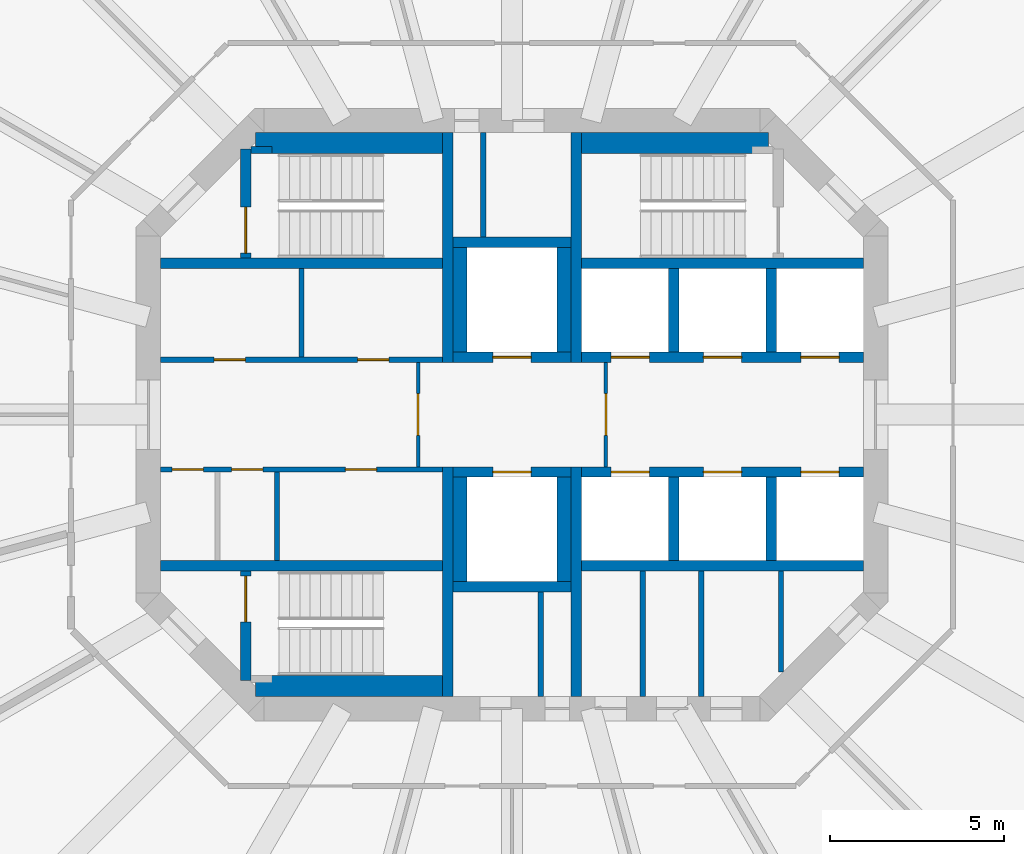
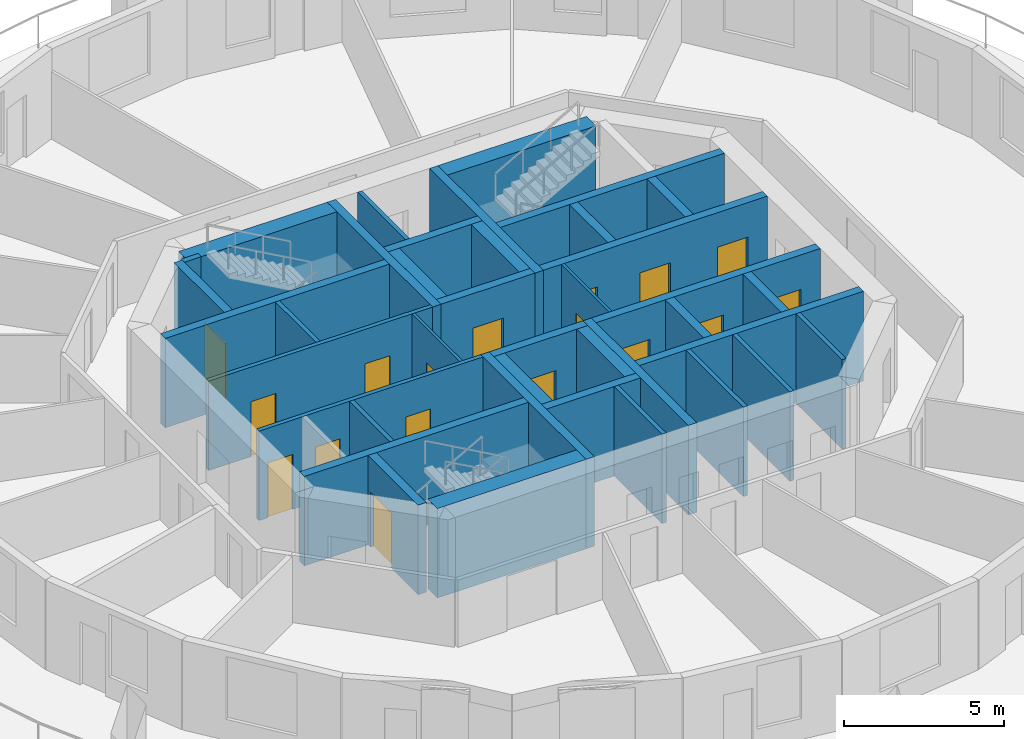
# One storey, part 4 of 9: 39 walls, 17 doors, 17 openings.
"""IFC4 building model written with IfcOpenShell, lengths in metres."""

import ifcopenshell
import ifcopenshell.guid

model = None  # the IFC model being written
_history = None  # IfcOwnerHistory: only IFC2X3 demands one
_inside = {}  # id of a spatial element -> (the spatial element, [elements in it])
_under = {}  # id of a project, library or spatial element -> (it, [spatial elements below it])
_declared = {}  # id of a project -> (the project, [libraries it declares])
_typed = {}  # id of a type object -> (the type object, [elements of that type])
_made_of = {}  # id of a material, layer set ... -> (it, [elements and type objects made of it])


def new_model(schema):
    """Start an empty IFC model of exactly this schema.

    Asked for "IFC4X3", IfcOpenShell would pick the latest addendum, in which some entities
    have other attributes; the version numbers below select the first issue.
    IFC2X3 requires an IfcOwnerHistory on every rooted entity: one is made here for all.
    """
    global model, _history
    if schema == "IFC4X3":
        model = ifcopenshell.file(schema_version=(4, 3, 0, 0))
    else:
        model = ifcopenshell.file(schema=schema)
    _inside.clear()
    _under.clear()
    _declared.clear()
    _typed.clear()
    _made_of.clear()
    _history = None
    if model.schema == "IFC2X3":
        org = make("IfcOrganization", Name="unknown")
        user = make(
            "IfcPersonAndOrganization",
            ThePerson=make("IfcPerson", FamilyName="unknown"),
            TheOrganization=org,
        )
        app = make(
            "IfcApplication",
            ApplicationDeveloper=org,
            Version="unknown",
            ApplicationFullName="unknown",
            ApplicationIdentifier="unknown",
        )
        _history = make(
            "IfcOwnerHistory",
            OwningUser=user,
            OwningApplication=app,
            ChangeAction="ADDED",
            CreationDate=0,
        )
    return model


def make(cls, **values):
    """One entity of the class cls with the attributes given. An attribute that is None is left unset."""
    return model.create_entity(
        cls, **{name: value for name, value in values.items() if value is not None}
    )


def rooted(cls, **values):
    """An entity with a GlobalId (a new one), such as an element, a storey or a relation."""
    return make(cls, GlobalId=ifcopenshell.guid.new(), OwnerHistory=_history, **values)


def si_unit(unit_type, name, prefix=None):
    """IfcSIUnit, for example si_unit("LENGTHUNIT", "METRE", prefix="MILLI")."""
    return make("IfcSIUnit", UnitType=unit_type, Prefix=prefix, Name=name)


def assignment(units):
    """IfcUnitAssignment: the units of a project."""
    return None if units is None else make("IfcUnitAssignment", Units=units)


def point(xyz):
    """IfcCartesianPoint."""
    return None if xyz is None else make("IfcCartesianPoint", Coordinates=xyz)


def direction(xyz):
    """IfcDirection."""
    return None if xyz is None else make("IfcDirection", DirectionRatios=xyz)


def frame(location, z_axis=None, x_axis=None):
    """IfcAxis2Placement3D, a coordinate frame: its origin and axes. An axis left out is left unset."""
    return make(
        "IfcAxis2Placement3D",
        Location=point(location),
        Axis=direction(z_axis),
        RefDirection=direction(x_axis),
    )


def frame_2d(location, x_axis=None):
    """IfcAxis2Placement2D, a coordinate frame in the plane: its origin and x axis."""
    return make(
        "IfcAxis2Placement2D", Location=point(location), RefDirection=direction(x_axis)
    )


def origin():
    """The frame at (0, 0, 0) with its axes left unset."""
    return frame((0.0, 0.0, 0.0))


def place(relative_to, where):
    """IfcLocalPlacement: puts the frame where relative to a parent placement (None: the world)."""
    return make(
        "IfcLocalPlacement", PlacementRelTo=relative_to, RelativePlacement=where
    )


def context(
    kind, dimensions, precision=None, world=None, true_north=None, identifier=None
):
    """IfcGeometricRepresentationContext, for example the 3D "Model" context."""
    return make(
        "IfcGeometricRepresentationContext",
        ContextIdentifier=identifier,
        ContextType=kind,
        CoordinateSpaceDimension=dimensions,
        Precision=precision,
        WorldCoordinateSystem=world,
        TrueNorth=true_north,
    )


def subcontext(parent, identifier, kind, view, scale=None):
    """IfcGeometricRepresentationSubContext, for example "Body" below "Model"."""
    return make(
        "IfcGeometricRepresentationSubContext",
        ContextIdentifier=identifier,
        ContextType=kind,
        ParentContext=parent,
        TargetScale=scale,
        TargetView=view,
    )


def project(units=None, contexts=None):
    """IfcProject with its units and contexts."""
    return rooted(
        "IfcProject",
        Name="project",
        RepresentationContexts=contexts,
        UnitsInContext=assignment(units),
    )


def spatial(cls, under=None, at=None, **own):
    """A site, building, storey or space (cls), placed at a placement, below another one or the project."""
    s = rooted(cls, ObjectPlacement=at, **own)
    if under is not None:
        _under.setdefault(under.id(), (under, []))[1].append(s)
    return s


def profile(cls, at=None, kind="AREA", **sizes):
    """A parametric profile (cls). Its sizes go by their IFC names, for example OverallWidth=200.0."""
    return make(cls, ProfileType=kind, Position=at, **sizes)


def rectangle(**sizes):
    """IfcRectangleProfileDef."""
    return profile("IfcRectangleProfileDef", **sizes)


def extrude(swept, where, along, depth):
    """IfcExtrudedAreaSolid: the profile swept, set in the frame where, extruded along a direction by depth."""
    return make(
        "IfcExtrudedAreaSolid",
        SweptArea=swept,
        Position=where,
        ExtrudedDirection=direction(along),
        Depth=depth,
    )


def shape(context_of_items, identifier, shape_type, items):
    """IfcShapeRepresentation: the items that make up one representation, for example the "Body"."""
    return make(
        "IfcShapeRepresentation",
        ContextOfItems=context_of_items,
        RepresentationIdentifier=identifier,
        RepresentationType=shape_type,
        Items=items,
    )


def material(Name=None, Category=None):
    """IfcMaterial."""
    return make("IfcMaterial", Name=Name, Category=Category)


def layer(
    of_material, thickness, ventilated=None, Name=None, Category=None, Priority=None
):
    """IfcMaterialLayer: one layer of a wall or slab, of a material (None: an air gap)."""
    return make(
        "IfcMaterialLayer",
        Material=of_material,
        LayerThickness=thickness,
        IsVentilated=ventilated,
        Name=Name,
        Category=Category,
        Priority=Priority,
    )


def layer_set(layers, Name=None):
    """IfcMaterialLayerSet."""
    return make("IfcMaterialLayerSet", MaterialLayers=layers, LayerSetName=Name)


def made_of(thing, what):
    """Note that an element or type object is made of a material, layer set ...; save() writes the relation."""
    if what is not None:
        _made_of.setdefault(what.id(), (what, []))[1].append(thing)
    return thing


def type_object(cls, material=None, **own):
    """A type object (cls), such as IfcWallType, which elements share."""
    return made_of(rooted(cls, **own), material)


def element(
    cls,
    number,
    at=None,
    inside=None,
    cuts=None,
    type_object=None,
    material=None,
    context=None,
    identifier="Body",
    shape_type=None,
    held_by="IfcProductDefinitionShape",
    body=None,
    shapes=None,
    **own,
):
    """One element of the class cls, such as IfcWall. Its Tag is "e" and its number.

    at: its placement. inside: the storey or other place that contains it. cuts: it is an
    opening in that element (IfcRelVoidsElement). A single representation is given by context,
    identifier, shape_type and body (its items); several are given by shapes. held_by: the class
    of the entity that holds the representations. save() writes the other relations.
    """
    e = rooted(cls, Tag="e%d" % number, ObjectPlacement=at, **own)
    if body is not None:
        shapes = [shape(context, identifier, shape_type, body)]
    if shapes is not None:
        e.Representation = make(held_by, Representations=shapes)
    if inside is not None:
        _inside.setdefault(inside.id(), (inside, []))[1].append(e)
    if cuts is not None:
        rooted(
            "IfcRelVoidsElement", RelatingBuildingElement=cuts, RelatedOpeningElement=e
        )
    if type_object is not None:
        _typed.setdefault(type_object.id(), (type_object, []))[1].append(e)
    return made_of(e, material)


def fill(opening, filler):
    """IfcRelFillsElement: the door or window that sits in an opening."""
    return rooted(
        "IfcRelFillsElement",
        RelatingOpeningElement=opening,
        RelatedBuildingElement=filler,
    )


def aggregate(whole, parts):
    """IfcRelAggregates: a whole, such as a stair, and the parts it consists of."""
    return rooted("IfcRelAggregates", RelatingObject=whole, RelatedObjects=parts)


def save(model, path):
    """Write the relations noted so far, then the file.

    IfcRelAggregates (storeys below a building ...), IfcRelContainedInSpatialStructure (elements
    in a storey), IfcRelDefinesByType, IfcRelAssociatesMaterial and IfcRelDeclares: one each for
    every whole, place, type object, material and project.
    """
    for whole, parts in _under.values():
        aggregate(whole, parts)
    for where, things in _inside.values():
        rooted(
            "IfcRelContainedInSpatialStructure",
            RelatedElements=things,
            RelatingStructure=where,
        )
    for kind, things in _typed.values():
        rooted("IfcRelDefinesByType", RelatedObjects=things, RelatingType=kind)
    for what, things in _made_of.values():
        rooted("IfcRelAssociatesMaterial", RelatedObjects=things, RelatingMaterial=what)
    for by, libraries in _declared.values():
        rooted("IfcRelDeclares", RelatingContext=by, RelatedDefinitions=libraries)
    model.write(path)


model = new_model("IFC4")

# Units and contexts
model_context = context("Model", 3, precision=1e-05, world=origin(), true_north=direction((0.0, 1.0)))
body_context = subcontext(model_context, "Body", "Model", "MODEL_VIEW")
ifc_project = project(units=[si_unit("LENGTHUNIT", "METRE"), si_unit("AREAUNIT", "SQUARE_METRE"), si_unit("VOLUMEUNIT", "CUBIC_METRE"), si_unit("PLANEANGLEUNIT", "RADIAN"), si_unit("MASSUNIT", "GRAM", prefix="KILO")], contexts=[model_context])

# Site, building, storey
site_placement = place(None, origin())
site = spatial("IfcSite", under=ifc_project, at=site_placement, CompositionType="ELEMENT")
building_placement = place(site_placement, origin())
building = spatial("IfcBuilding", under=site, at=building_placement, Name="Torre Triforio", CompositionType="ELEMENT")
storey_placement = place(building_placement, frame((0.0, 0.0, 237.199951171875)))
storey = spatial("IfcBuildingStorey", under=building, at=storey_placement, Name="L54", CompositionType="ELEMENT", Elevation=237.199951171875)

# Walls
ifc_material_1 = material(Name="Concrete C50", Category="concrete")
ifc_layer_1 = layer(ifc_material_1, 0.300048828125)
ifc_layer_set_1 = layer_set([ifc_layer_1], Name="Concrete C50")
wall_type_1 = type_object("IfcWallType", Name="Core wall 300 mm C50 EI 120", PredefinedType="SHEAR", material=ifc_layer_set_1)
for number, where, z_axis, x_axis, name in (
    (1, (-1.85009765625, 1.5, 0.0), (0.0, 0.0, 1.0), (0.0, 1.0, 0.0), "Core wall"),
    (2, (-1.85009765625, -8.10009765625, 0.0), (0.0, 0.0, 1.0), (0.0, 1.0, 0.0), "Core wall"),
    (3, (1.85009765625, 1.5, 0.0), (0.0, 0.0, 1.0), (0.0, 1.0, 0.0), "Core wall"),
    (4, (1.85009765625, -8.10009765625, 0.0), (0.0, 0.0, 1.0), (0.0, 1.0, 0.0), "Core wall"),
):
    element("IfcWall", number, at=place(storey_placement, frame(where, z_axis=z_axis, x_axis=x_axis)), inside=storey, type_object=wall_type_1, Name=name, PredefinedType="SHEAR", context=body_context, shape_type="SweptSolid", body=[
        extrude(rectangle(XDim=6.60009765625, YDim=0.300048828125, at=frame_2d((3.300048828125, 0.0))), origin(), (0.0, 0.0, 1.0), 3.420166015625),
    ])

# Wall, opening, door
ifc_material_2 = material(Name="Block and board partition")
ifc_layer_2 = layer(ifc_material_2, 0.10009765625)
ifc_layer_set_2 = layer_set([ifc_layer_2], Name="Block and board partition")
wall_type_2 = type_object("IfcWallType", Name="Partition 100 mm EI 120", PredefinedType="PARTITIONING", material=ifc_layer_set_2)
wall_1_placement = place(storey_placement, frame((-2.699951171875, -1.5, 0.0), z_axis=(0.0, 0.0, 1.0), x_axis=(0.0, 1.0, 0.0)))
wall_1 = element("IfcWall", 5, at=wall_1_placement, inside=storey, type_object=wall_type_2, Name="Partition", PredefinedType="PARTITIONING", context=body_context, shape_type="SweptSolid", body=[
    extrude(rectangle(XDim=3.0, YDim=0.10009765625, at=frame_2d((1.5, 0.0))), origin(), (0.0, 0.0, 1.0), 3.420166015625),
])
opening_1_placement = place(wall_1_placement, frame((0.89990234375, 0.0, 0.0)))
opening_1 = element("IfcOpeningElement", 6, at=opening_1_placement, cuts=wall_1, Name="Opening FF-W", PredefinedType="OPENING", context=body_context, shape_type="SweptSolid", body=[
    extrude(rectangle(XDim=1.199951171875, YDim=2.10009765625, at=frame_2d((0.60009765625, 1.050048828125))), frame((0.0, 0.06005859375, 0.0), z_axis=(0.0, -1.0, 0.0), x_axis=(1.0, 0.0, 0.0)), (0.0, 0.0, 1.0), 0.1201171875),
])
ifc_material_3 = material(Name="Hollow metal fire door leaf")
door_type_1 = type_object("IfcDoorType", Name="Fire-fighting lobby door 1200 x 2100 EI 60", OperationType="NOTDEFINED", PredefinedType="DOOR", material=ifc_material_3)
door_1_placement = place(opening_1_placement, origin())
door_1 = element("IfcDoor", 7, at=door_1_placement, inside=storey, type_object=door_type_1, Name="Core door FF-W", OperationType="SINGLE_SWING_RIGHT", OverallHeight=2.10009765625, OverallWidth=1.199951171875, PredefinedType="DOOR", context=body_context, shape_type="SweptSolid", body=[
    extrude(rectangle(XDim=1.199951171875, YDim=2.10009765625, at=frame_2d((0.60009765625, 1.050048828125))), frame((0.0, 0.02490234375, 0.0), z_axis=(0.0, -1.0, 0.0), x_axis=(1.0, 0.0, 0.0)), (0.0, 0.0, 1.0), 0.050048828125),
])
fill(opening_1, door_1)

wall_2_placement = place(storey_placement, frame((2.699951171875, -1.5, 0.0), z_axis=(0.0, 0.0, 1.0), x_axis=(0.0, 1.0, 0.0)))
wall_2 = element("IfcWall", 8, at=wall_2_placement, inside=storey, type_object=wall_type_2, Name="Partition", PredefinedType="PARTITIONING", context=body_context, shape_type="SweptSolid", body=[
    extrude(rectangle(XDim=3.0, YDim=0.10009765625, at=frame_2d((1.5, 0.0))), origin(), (0.0, 0.0, 1.0), 3.420166015625),
])
opening_2_placement = place(wall_2_placement, frame((0.89990234375, 0.0, 0.0)))
opening_2 = element("IfcOpeningElement", 9, at=opening_2_placement, cuts=wall_2, Name="Opening FF-E", PredefinedType="OPENING", context=body_context, shape_type="SweptSolid", body=[
    extrude(rectangle(XDim=1.199951171875, YDim=2.10009765625, at=frame_2d((0.60009765625, 1.050048828125))), frame((0.0, 0.06005859375, 0.0), z_axis=(0.0, -1.0, 0.0), x_axis=(1.0, 0.0, 0.0)), (0.0, 0.0, 1.0), 0.1201171875),
])
door_2_placement = place(opening_2_placement, origin())
door_2 = element("IfcDoor", 10, at=door_2_placement, inside=storey, type_object=door_type_1, Name="Core door FF-E", OperationType="SINGLE_SWING_RIGHT", OverallHeight=2.10009765625, OverallWidth=1.199951171875, PredefinedType="DOOR", context=body_context, shape_type="SweptSolid", body=[
    extrude(rectangle(XDim=1.199951171875, YDim=2.10009765625, at=frame_2d((0.60009765625, 1.050048828125))), frame((0.0, 0.02490234375, 0.0), z_axis=(0.0, -1.0, 0.0), x_axis=(1.0, 0.0, 0.0)), (0.0, 0.0, 1.0), 0.050048828125),
])
fill(opening_2, door_2)

# Walls
ifc_layer_3 = layer(ifc_material_2, 0.14990234375)
ifc_layer_set_3 = layer_set([ifc_layer_3], Name="Block and board partition")
wall_type_3 = type_object("IfcWallType", Name="Partition 150 mm", PredefinedType="PARTITIONING", material=ifc_layer_set_3)
for number, where, z_axis, x_axis, name in (
    (11, (3.758056640625, -8.10009765625, 0.0), (0.0, 0.0, 1.0), (0.0, 1.0, 0.0), "Partition"),
    (12, (5.43798828125, -8.10009765625, 0.0), (0.0, 0.0, 1.0), (0.0, 1.0, 0.0), "Partition"),
):
    element("IfcWall", number, at=place(storey_placement, frame(where, z_axis=z_axis, x_axis=x_axis)), inside=storey, type_object=wall_type_3, Name=name, PredefinedType="PARTITIONING", context=body_context, shape_type="SweptSolid", body=[
        extrude(rectangle(XDim=3.60009765625, YDim=0.14990234375, at=frame_2d((1.800048828125, 0.0))), origin(), (0.0, 0.0, 1.0), 3.420166015625),
    ])
wall_3_placement = place(storey_placement, frame((7.72998046875, -7.39501953125, 0.0), z_axis=(0.0, 0.0, 1.0), x_axis=(0.0, 1.0, 0.0)))
element("IfcWall", 13, at=wall_3_placement, inside=storey, type_object=wall_type_3, Name="Partition", PredefinedType="PARTITIONING", context=body_context, shape_type="SweptSolid", body=[
    extrude(rectangle(XDim=2.89501953125, YDim=0.14990234375, at=frame_2d((1.447509765625, 0.0))), origin(), (0.0, 0.0, 1.0), 3.420166015625),
])
for number, where, z_axis, x_axis, name in (
    (14, (-6.050048828125, 1.64990234375, 0.0), (0.0, 0.0, 1.0), (0.0, 1.0, 0.0), "Partition"),
    (15, (-6.7548828125, -4.199951171875, 0.0), (0.0, 0.0, 1.0), (0.0, 1.0, 0.0), "Partition"),
):
    element("IfcWall", number, at=place(storey_placement, frame(where, z_axis=z_axis, x_axis=x_axis)), inside=storey, type_object=wall_type_3, Name=name, PredefinedType="PARTITIONING", context=body_context, shape_type="SweptSolid", body=[
        extrude(rectangle(XDim=2.550048828125, YDim=0.14990234375, at=frame_2d((1.27490234375, 0.0))), origin(), (0.0, 0.0, 1.0), 3.420166015625),
    ])
ifc_layer_4 = layer(ifc_material_2, 0.14990234375)
ifc_layer_set_4 = layer_set([ifc_layer_4], Name="Block and board partition")
wall_type_4 = type_object("IfcWallType", Name="Partition 150 mm EI 120", PredefinedType="PARTITIONING", material=ifc_layer_set_4)
for number, where, z_axis, x_axis, name in (
    (16, (-0.824951171875, 5.10009765625, 0.0), (0.0, 0.0, 1.0), (0.0, 1.0, 0.0), "Partition"),
    (17, (0.824951171875, -8.10009765625, 0.0), (0.0, 0.0, 1.0), (0.0, 1.0, 0.0), "Partition"),
):
    element("IfcWall", number, at=place(storey_placement, frame(where, z_axis=z_axis, x_axis=x_axis)), inside=storey, type_object=wall_type_4, Name=name, PredefinedType="PARTITIONING", context=body_context, shape_type="SweptSolid", body=[
        extrude(rectangle(XDim=3.0, YDim=0.14990234375, at=frame_2d((1.5, 0.0))), origin(), (0.0, 0.0, 1.0), 3.420166015625),
    ])

# Wall, openings, doors
wall_4_placement = place(storey_placement, frame((-10.10009765625, 1.574951171875, 0.0), z_axis=(0.0, 0.0, 1.0), x_axis=(1.0, 0.0, 0.0)))
wall_4 = element("IfcWall", 18, at=wall_4_placement, inside=storey, type_object=wall_type_4, Name="Partition", PredefinedType="PARTITIONING", context=body_context, shape_type="SweptSolid", body=[
    extrude(rectangle(XDim=8.10009765625, YDim=0.14990234375, at=frame_2d((4.050048828125, 0.0))), origin(), (0.0, 0.0, 1.0), 3.420166015625),
])
opening_3_placement = place(wall_4_placement, frame((1.53759765625, 0.0, 0.0)))
opening_3 = element("IfcOpeningElement", 19, at=opening_3_placement, cuts=wall_4, Name="Opening FN-01", PredefinedType="OPENING", context=body_context, shape_type="SweptSolid", body=[
    extrude(rectangle(XDim=0.89990234375, YDim=2.10009765625, at=frame_2d((0.449951171875, 1.050048828125))), frame((0.0, 0.0849609375, 0.0), z_axis=(0.0, -1.0, 0.0), x_axis=(1.0, 0.0, 0.0)), (0.0, 0.0, 1.0), 0.169921875),
])
opening_4_placement = place(wall_4_placement, frame((5.66259765625, 0.0, 0.0)))
opening_4 = element("IfcOpeningElement", 20, at=opening_4_placement, cuts=wall_4, Name="Opening FN-02", PredefinedType="OPENING", context=body_context, shape_type="SweptSolid", body=[
    extrude(rectangle(XDim=0.89990234375, YDim=2.10009765625, at=frame_2d((0.449951171875, 1.050048828125))), frame((0.0, 0.0849609375, 0.0), z_axis=(0.0, -1.0, 0.0), x_axis=(1.0, 0.0, 0.0)), (0.0, 0.0, 1.0), 0.169921875),
])
door_type_2 = type_object("IfcDoorType", Name="Room door 900 x 2100 EI 60", OperationType="NOTDEFINED", PredefinedType="DOOR", material=ifc_material_3)
door_3_placement = place(opening_3_placement, origin())
door_3 = element("IfcDoor", 21, at=door_3_placement, inside=storey, type_object=door_type_2, Name="Core door FN-01", OperationType="SINGLE_SWING_RIGHT", OverallHeight=2.10009765625, OverallWidth=0.89990234375, PredefinedType="DOOR", context=body_context, shape_type="SweptSolid", body=[
    extrude(rectangle(XDim=0.89990234375, YDim=2.10009765625, at=frame_2d((0.449951171875, 1.050048828125))), frame((0.0, 0.02490234375, 0.0), z_axis=(0.0, -1.0, 0.0), x_axis=(1.0, 0.0, 0.0)), (0.0, 0.0, 1.0), 0.050048828125),
])
fill(opening_3, door_3)
door_4_placement = place(opening_4_placement, origin())
door_4 = element("IfcDoor", 22, at=door_4_placement, inside=storey, type_object=door_type_2, Name="Core door FN-02", OperationType="SINGLE_SWING_RIGHT", OverallHeight=2.10009765625, OverallWidth=0.89990234375, PredefinedType="DOOR", context=body_context, shape_type="SweptSolid", body=[
    extrude(rectangle(XDim=0.89990234375, YDim=2.10009765625, at=frame_2d((0.449951171875, 1.050048828125))), frame((0.0, 0.02490234375, 0.0), z_axis=(0.0, -1.0, 0.0), x_axis=(1.0, 0.0, 0.0)), (0.0, 0.0, 1.0), 0.050048828125),
])
fill(opening_4, door_4)

wall_5_placement = place(storey_placement, frame((-10.10009765625, -1.574951171875, 0.0), z_axis=(0.0, 0.0, 1.0), x_axis=(1.0, 0.0, 0.0)))
wall_5 = element("IfcWall", 23, at=wall_5_placement, inside=storey, type_object=wall_type_4, Name="Partition", PredefinedType="PARTITIONING", context=body_context, shape_type="SweptSolid", body=[
    extrude(rectangle(XDim=8.10009765625, YDim=0.14990234375, at=frame_2d((4.050048828125, 0.0))), origin(), (0.0, 0.0, 1.0), 3.420166015625),
])
opening_5_placement = place(wall_5_placement, frame((0.330078125, 0.0, 0.0)))
opening_5 = element("IfcOpeningElement", 24, at=opening_5_placement, cuts=wall_5, Name="Opening FS-01", PredefinedType="OPENING", context=body_context, shape_type="SweptSolid", body=[
    extrude(rectangle(XDim=0.89990234375, YDim=2.10009765625, at=frame_2d((0.449951171875, 1.050048828125))), frame((0.0, 0.0849609375, 0.0), z_axis=(0.0, -1.0, 0.0), x_axis=(1.0, 0.0, 0.0)), (0.0, 0.0, 1.0), 0.169921875),
])
opening_6_placement = place(wall_5_placement, frame((2.0400390625, 0.0, 0.0)))
opening_6 = element("IfcOpeningElement", 25, at=opening_6_placement, cuts=wall_5, Name="Opening FS-02", PredefinedType="OPENING", context=body_context, shape_type="SweptSolid", body=[
    extrude(rectangle(XDim=0.89990234375, YDim=2.10009765625, at=frame_2d((0.449951171875, 1.050048828125))), frame((0.0, 0.0849609375, 0.0), z_axis=(0.0, -1.0, 0.0), x_axis=(1.0, 0.0, 0.0)), (0.0, 0.0, 1.0), 0.169921875),
])
opening_7_placement = place(wall_5_placement, frame((5.31005859375, 0.0, 0.0)))
opening_7 = element("IfcOpeningElement", 26, at=opening_7_placement, cuts=wall_5, Name="Opening FS-03", PredefinedType="OPENING", context=body_context, shape_type="SweptSolid", body=[
    extrude(rectangle(XDim=0.89990234375, YDim=2.10009765625, at=frame_2d((0.449951171875, 1.050048828125))), frame((0.0, 0.0849609375, 0.0), z_axis=(0.0, -1.0, 0.0), x_axis=(1.0, 0.0, 0.0)), (0.0, 0.0, 1.0), 0.169921875),
])
door_5_placement = place(opening_5_placement, origin())
door_5 = element("IfcDoor", 27, at=door_5_placement, inside=storey, type_object=door_type_2, Name="Core door FS-01", OperationType="SINGLE_SWING_LEFT", OverallHeight=2.10009765625, OverallWidth=0.89990234375, PredefinedType="DOOR", context=body_context, shape_type="SweptSolid", body=[
    extrude(rectangle(XDim=0.89990234375, YDim=2.10009765625, at=frame_2d((0.449951171875, 1.050048828125))), frame((0.0, 0.02490234375, 0.0), z_axis=(0.0, -1.0, 0.0), x_axis=(1.0, 0.0, 0.0)), (0.0, 0.0, 1.0), 0.050048828125),
])
fill(opening_5, door_5)
door_6_placement = place(opening_6_placement, origin())
door_6 = element("IfcDoor", 28, at=door_6_placement, inside=storey, type_object=door_type_2, Name="Core door FS-02", OperationType="SINGLE_SWING_LEFT", OverallHeight=2.10009765625, OverallWidth=0.89990234375, PredefinedType="DOOR", context=body_context, shape_type="SweptSolid", body=[
    extrude(rectangle(XDim=0.89990234375, YDim=2.10009765625, at=frame_2d((0.449951171875, 1.050048828125))), frame((0.0, 0.02490234375, 0.0), z_axis=(0.0, -1.0, 0.0), x_axis=(1.0, 0.0, 0.0)), (0.0, 0.0, 1.0), 0.050048828125),
])
fill(opening_6, door_6)
door_7_placement = place(opening_7_placement, origin())
door_7 = element("IfcDoor", 29, at=door_7_placement, inside=storey, type_object=door_type_2, Name="Core door FS-03", OperationType="SINGLE_SWING_LEFT", OverallHeight=2.10009765625, OverallWidth=0.89990234375, PredefinedType="DOOR", context=body_context, shape_type="SweptSolid", body=[
    extrude(rectangle(XDim=0.89990234375, YDim=2.10009765625, at=frame_2d((0.449951171875, 1.050048828125))), frame((0.0, 0.02490234375, 0.0), z_axis=(0.0, -1.0, 0.0), x_axis=(1.0, 0.0, 0.0)), (0.0, 0.0, 1.0), 0.050048828125),
])
fill(opening_7, door_7)

# Walls
ifc_layer_5 = layer(ifc_material_1, 0.300048828125)
ifc_layer_set_5 = layer_set([ifc_layer_5], Name="Concrete C50")
wall_type_5 = type_object("IfcWallType", Name="Shaft wall 300 mm C50 EI 120", PredefinedType="SOLIDWALL", material=ifc_layer_set_5)
for number, where, z_axis, x_axis, name in (
    (30, (-10.10009765625, 4.35009765625, 0.0), (0.0, 0.0, 1.0), (1.0, 0.0, 0.0), "Shaft wall"),
    (31, (-10.10009765625, -4.35009765625, 0.0), (0.0, 0.0, 1.0), (1.0, 0.0, 0.0), "Shaft wall"),
    (32, (2.0, 4.35009765625, 0.0), (0.0, 0.0, 1.0), (1.0, 0.0, 0.0), "Shaft wall"),
    (33, (2.0, -4.35009765625, 0.0), (0.0, 0.0, 1.0), (1.0, 0.0, 0.0), "Shaft wall"),
):
    element("IfcWall", number, at=place(storey_placement, frame(where, z_axis=z_axis, x_axis=x_axis)), inside=storey, type_object=wall_type_5, Name=name, PredefinedType="SOLIDWALL", context=body_context, shape_type="SweptSolid", body=[
        extrude(rectangle(XDim=8.10009765625, YDim=0.300048828125, at=frame_2d((4.050048828125, 0.0))), origin(), (0.0, 0.0, 1.0), 3.420166015625),
    ])

# Wall, openings, doors
wall_6_placement = place(storey_placement, frame((2.0, 1.64990234375, 0.0), z_axis=(0.0, 0.0, 1.0), x_axis=(1.0, 0.0, 0.0)))
wall_6 = element("IfcWall", 34, at=wall_6_placement, inside=storey, type_object=wall_type_5, Name="Shaft wall", PredefinedType="SOLIDWALL", context=body_context, shape_type="SweptSolid", body=[
    extrude(rectangle(XDim=8.10009765625, YDim=0.300048828125, at=frame_2d((4.050048828125, 0.0))), origin(), (0.0, 0.0, 1.0), 3.420166015625),
])
opening_8_placement = place(wall_6_placement, frame((0.85009765625, 0.0, 0.0)))
opening_8 = element("IfcOpeningElement", 35, at=opening_8_placement, cuts=wall_6, Name="Opening LD", PredefinedType="OPENING", context=body_context, shape_type="SweptSolid", body=[
    extrude(rectangle(XDim=1.10009765625, YDim=2.10009765625, at=frame_2d((0.550048828125, 1.050048828125))), frame((0.0, 0.159912109375, 0.0), z_axis=(0.0, -1.0, 0.0), x_axis=(1.0, 0.0, 0.0)), (0.0, 0.0, 1.0), 0.320068359375),
])
opening_9_placement = place(wall_6_placement, frame((3.5, 0.0, 0.0)))
opening_9 = element("IfcOpeningElement", 36, at=opening_9_placement, cuts=wall_6, Name="Opening LD", PredefinedType="OPENING", context=body_context, shape_type="SweptSolid", body=[
    extrude(rectangle(XDim=1.10009765625, YDim=2.10009765625, at=frame_2d((0.550048828125, 1.050048828125))), frame((0.0, 0.159912109375, 0.0), z_axis=(0.0, -1.0, 0.0), x_axis=(1.0, 0.0, 0.0)), (0.0, 0.0, 1.0), 0.320068359375),
])
opening_10_placement = place(wall_6_placement, frame((6.300048828125, 0.0, 0.0)))
opening_10 = element("IfcOpeningElement", 37, at=opening_10_placement, cuts=wall_6, Name="Opening LD", PredefinedType="OPENING", context=body_context, shape_type="SweptSolid", body=[
    extrude(rectangle(XDim=1.10009765625, YDim=2.10009765625, at=frame_2d((0.550048828125, 1.050048828125))), frame((0.0, 0.159912109375, 0.0), z_axis=(0.0, -1.0, 0.0), x_axis=(1.0, 0.0, 0.0)), (0.0, 0.0, 1.0), 0.320068359375),
])
door_type_3 = type_object("IfcDoorType", Name="Landing door 1100 x 2100 EI 60", OperationType="DOUBLE_DOOR_SLIDING", PredefinedType="DOOR", material=ifc_material_3)
door_8_placement = place(opening_8_placement, origin())
door_8 = element("IfcDoor", 38, at=door_8_placement, inside=storey, type_object=door_type_3, Name="Landing door HR1", OperationType="DOUBLE_DOOR_SLIDING", OverallHeight=2.10009765625, OverallWidth=1.10009765625, PredefinedType="DOOR", context=body_context, shape_type="SweptSolid", body=[
    extrude(rectangle(XDim=1.10009765625, YDim=2.10009765625, at=frame_2d((0.550048828125, 1.050048828125))), frame((0.0, 0.02490234375, 0.0), z_axis=(0.0, -1.0, 0.0), x_axis=(1.0, 0.0, 0.0)), (0.0, 0.0, 1.0), 0.050048828125),
])
fill(opening_8, door_8)
door_9_placement = place(opening_9_placement, origin())
door_9 = element("IfcDoor", 39, at=door_9_placement, inside=storey, type_object=door_type_3, Name="Landing door HR2", OperationType="DOUBLE_DOOR_SLIDING", OverallHeight=2.10009765625, OverallWidth=1.10009765625, PredefinedType="DOOR", context=body_context, shape_type="SweptSolid", body=[
    extrude(rectangle(XDim=1.10009765625, YDim=2.10009765625, at=frame_2d((0.550048828125, 1.050048828125))), frame((0.0, 0.02490234375, 0.0), z_axis=(0.0, -1.0, 0.0), x_axis=(1.0, 0.0, 0.0)), (0.0, 0.0, 1.0), 0.050048828125),
])
fill(opening_9, door_9)
door_10_placement = place(opening_10_placement, origin())
door_10 = element("IfcDoor", 40, at=door_10_placement, inside=storey, type_object=door_type_3, Name="Landing door HR3", OperationType="DOUBLE_DOOR_SLIDING", OverallHeight=2.10009765625, OverallWidth=1.10009765625, PredefinedType="DOOR", context=body_context, shape_type="SweptSolid", body=[
    extrude(rectangle(XDim=1.10009765625, YDim=2.10009765625, at=frame_2d((0.550048828125, 1.050048828125))), frame((0.0, 0.02490234375, 0.0), z_axis=(0.0, -1.0, 0.0), x_axis=(1.0, 0.0, 0.0)), (0.0, 0.0, 1.0), 0.050048828125),
])
fill(opening_10, door_10)

wall_7_placement = place(storey_placement, frame((2.0, -1.64990234375, 0.0), z_axis=(0.0, 0.0, 1.0), x_axis=(1.0, 0.0, 0.0)))
wall_7 = element("IfcWall", 41, at=wall_7_placement, inside=storey, type_object=wall_type_5, Name="Shaft wall", PredefinedType="SOLIDWALL", context=body_context, shape_type="SweptSolid", body=[
    extrude(rectangle(XDim=8.10009765625, YDim=0.300048828125, at=frame_2d((4.050048828125, 0.0))), origin(), (0.0, 0.0, 1.0), 3.420166015625),
])
opening_11_placement = place(wall_7_placement, frame((0.85009765625, 0.0, 0.0)))
opening_11 = element("IfcOpeningElement", 42, at=opening_11_placement, cuts=wall_7, Name="Opening LD", PredefinedType="OPENING", context=body_context, shape_type="SweptSolid", body=[
    extrude(rectangle(XDim=1.10009765625, YDim=2.10009765625, at=frame_2d((0.550048828125, 1.050048828125))), frame((0.0, 0.159912109375, 0.0), z_axis=(0.0, -1.0, 0.0), x_axis=(1.0, 0.0, 0.0)), (0.0, 0.0, 1.0), 0.320068359375),
])
opening_12_placement = place(wall_7_placement, frame((3.5, 0.0, 0.0)))
opening_12 = element("IfcOpeningElement", 43, at=opening_12_placement, cuts=wall_7, Name="Opening LD", PredefinedType="OPENING", context=body_context, shape_type="SweptSolid", body=[
    extrude(rectangle(XDim=1.10009765625, YDim=2.10009765625, at=frame_2d((0.550048828125, 1.050048828125))), frame((0.0, 0.159912109375, 0.0), z_axis=(0.0, -1.0, 0.0), x_axis=(1.0, 0.0, 0.0)), (0.0, 0.0, 1.0), 0.320068359375),
])
opening_13_placement = place(wall_7_placement, frame((6.300048828125, 0.0, 0.0)))
opening_13 = element("IfcOpeningElement", 44, at=opening_13_placement, cuts=wall_7, Name="Opening LD", PredefinedType="OPENING", context=body_context, shape_type="SweptSolid", body=[
    extrude(rectangle(XDim=1.10009765625, YDim=2.10009765625, at=frame_2d((0.550048828125, 1.050048828125))), frame((0.0, 0.159912109375, 0.0), z_axis=(0.0, -1.0, 0.0), x_axis=(1.0, 0.0, 0.0)), (0.0, 0.0, 1.0), 0.320068359375),
])
door_11_placement = place(opening_11_placement, origin())
door_11 = element("IfcDoor", 45, at=door_11_placement, inside=storey, type_object=door_type_3, Name="Landing door HR4", OperationType="DOUBLE_DOOR_SLIDING", OverallHeight=2.10009765625, OverallWidth=1.10009765625, PredefinedType="DOOR", context=body_context, shape_type="SweptSolid", body=[
    extrude(rectangle(XDim=1.10009765625, YDim=2.10009765625, at=frame_2d((0.550048828125, 1.050048828125))), frame((0.0, 0.02490234375, 0.0), z_axis=(0.0, -1.0, 0.0), x_axis=(1.0, 0.0, 0.0)), (0.0, 0.0, 1.0), 0.050048828125),
])
fill(opening_11, door_11)
door_12_placement = place(opening_12_placement, origin())
door_12 = element("IfcDoor", 46, at=door_12_placement, inside=storey, type_object=door_type_3, Name="Landing door HR5", OperationType="DOUBLE_DOOR_SLIDING", OverallHeight=2.10009765625, OverallWidth=1.10009765625, PredefinedType="DOOR", context=body_context, shape_type="SweptSolid", body=[
    extrude(rectangle(XDim=1.10009765625, YDim=2.10009765625, at=frame_2d((0.550048828125, 1.050048828125))), frame((0.0, 0.02490234375, 0.0), z_axis=(0.0, -1.0, 0.0), x_axis=(1.0, 0.0, 0.0)), (0.0, 0.0, 1.0), 0.050048828125),
])
fill(opening_12, door_12)
door_13_placement = place(opening_13_placement, origin())
door_13 = element("IfcDoor", 47, at=door_13_placement, inside=storey, type_object=door_type_3, Name="Landing door HR6", OperationType="DOUBLE_DOOR_SLIDING", OverallHeight=2.10009765625, OverallWidth=1.10009765625, PredefinedType="DOOR", context=body_context, shape_type="SweptSolid", body=[
    extrude(rectangle(XDim=1.10009765625, YDim=2.10009765625, at=frame_2d((0.550048828125, 1.050048828125))), frame((0.0, 0.02490234375, 0.0), z_axis=(0.0, -1.0, 0.0), x_axis=(1.0, 0.0, 0.0)), (0.0, 0.0, 1.0), 0.050048828125),
])
fill(opening_13, door_13)

# Walls
for number, where, z_axis, x_axis, name in (
    (48, (4.64990234375, 1.800048828125, 0.0), (0.0, 0.0, 1.0), (0.0, 1.0, 0.0), "Shaft wall"),
    (49, (4.64990234375, -4.199951171875, 0.0), (0.0, 0.0, 1.0), (0.0, 1.0, 0.0), "Shaft wall"),
    (50, (7.449951171875, 1.800048828125, 0.0), (0.0, 0.0, 1.0), (0.0, 1.0, 0.0), "Shaft wall"),
    (51, (7.449951171875, -4.199951171875, 0.0), (0.0, 0.0, 1.0), (0.0, 1.0, 0.0), "Shaft wall"),
):
    element("IfcWall", number, at=place(storey_placement, frame(where, z_axis=z_axis, x_axis=x_axis)), inside=storey, type_object=wall_type_5, Name=name, PredefinedType="SOLIDWALL", context=body_context, shape_type="SweptSolid", body=[
        extrude(rectangle(XDim=2.39990234375, YDim=0.300048828125, at=frame_2d((1.199951171875, 0.0))), origin(), (0.0, 0.0, 1.0), 3.420166015625),
    ])

# Wall, opening, door
wall_8_placement = place(storey_placement, frame((-1.699951171875, 1.64990234375, 0.0), z_axis=(0.0, 0.0, 1.0), x_axis=(1.0, 0.0, 0.0)))
wall_8 = element("IfcWall", 52, at=wall_8_placement, inside=storey, type_object=wall_type_5, Name="Shaft wall", PredefinedType="SOLIDWALL", context=body_context, shape_type="SweptSolid", body=[
    extrude(rectangle(XDim=3.39990234375, YDim=0.300048828125, at=frame_2d((1.699951171875, 0.0))), origin(), (0.0, 0.0, 1.0), 3.420166015625),
])
opening_14_placement = place(wall_8_placement, frame((1.14990234375, 0.0, 0.0)))
opening_14 = element("IfcOpeningElement", 53, at=opening_14_placement, cuts=wall_8, Name="Opening LD", PredefinedType="OPENING", context=body_context, shape_type="SweptSolid", body=[
    extrude(rectangle(XDim=1.10009765625, YDim=2.10009765625, at=frame_2d((0.550048828125, 1.050048828125))), frame((0.0, 0.159912109375, 0.0), z_axis=(0.0, -1.0, 0.0), x_axis=(1.0, 0.0, 0.0)), (0.0, 0.0, 1.0), 0.320068359375),
])
door_14_placement = place(opening_14_placement, origin())
door_14 = element("IfcDoor", 54, at=door_14_placement, inside=storey, type_object=door_type_3, Name="Landing door FFL1", OperationType="DOUBLE_DOOR_SLIDING", OverallHeight=2.10009765625, OverallWidth=1.10009765625, PredefinedType="DOOR", context=body_context, shape_type="SweptSolid", body=[
    extrude(rectangle(XDim=1.10009765625, YDim=2.10009765625, at=frame_2d((0.550048828125, 1.050048828125))), frame((0.0, 0.02490234375, 0.0), z_axis=(0.0, -1.0, 0.0), x_axis=(1.0, 0.0, 0.0)), (0.0, 0.0, 1.0), 0.050048828125),
])
fill(opening_14, door_14)

wall_9_placement = place(storey_placement, frame((-1.699951171875, -1.64990234375, 0.0), z_axis=(0.0, 0.0, 1.0), x_axis=(1.0, 0.0, 0.0)))
wall_9 = element("IfcWall", 55, at=wall_9_placement, inside=storey, type_object=wall_type_5, Name="Shaft wall", PredefinedType="SOLIDWALL", context=body_context, shape_type="SweptSolid", body=[
    extrude(rectangle(XDim=3.39990234375, YDim=0.300048828125, at=frame_2d((1.699951171875, 0.0))), origin(), (0.0, 0.0, 1.0), 3.420166015625),
])
opening_15_placement = place(wall_9_placement, frame((1.14990234375, 0.0, 0.0)))
opening_15 = element("IfcOpeningElement", 56, at=opening_15_placement, cuts=wall_9, Name="Opening LD", PredefinedType="OPENING", context=body_context, shape_type="SweptSolid", body=[
    extrude(rectangle(XDim=1.10009765625, YDim=2.10009765625, at=frame_2d((0.550048828125, 1.050048828125))), frame((0.0, 0.159912109375, 0.0), z_axis=(0.0, -1.0, 0.0), x_axis=(1.0, 0.0, 0.0)), (0.0, 0.0, 1.0), 0.320068359375),
])
door_15_placement = place(opening_15_placement, origin())
door_15 = element("IfcDoor", 57, at=door_15_placement, inside=storey, type_object=door_type_3, Name="Landing door FFL2", OperationType="DOUBLE_DOOR_SLIDING", OverallHeight=2.10009765625, OverallWidth=1.10009765625, PredefinedType="DOOR", context=body_context, shape_type="SweptSolid", body=[
    extrude(rectangle(XDim=1.10009765625, YDim=2.10009765625, at=frame_2d((0.550048828125, 1.050048828125))), frame((0.0, 0.02490234375, 0.0), z_axis=(0.0, -1.0, 0.0), x_axis=(1.0, 0.0, 0.0)), (0.0, 0.0, 1.0), 0.050048828125),
])
fill(opening_15, door_15)

# Walls
for number, where, z_axis, x_axis, name in (
    (58, (-1.699951171875, 4.949951171875, 0.0), (0.0, 0.0, 1.0), (1.0, 0.0, 0.0), "Shaft wall"),
    (59, (-1.699951171875, -4.949951171875, 0.0), (0.0, 0.0, 1.0), (1.0, 0.0, 0.0), "Shaft wall"),
):
    element("IfcWall", number, at=place(storey_placement, frame(where, z_axis=z_axis, x_axis=x_axis)), inside=storey, type_object=wall_type_5, Name=name, PredefinedType="SOLIDWALL", context=body_context, shape_type="SweptSolid", body=[
        extrude(rectangle(XDim=3.39990234375, YDim=0.300048828125, at=frame_2d((1.699951171875, 0.0))), origin(), (0.0, 0.0, 1.0), 3.420166015625),
    ])
ifc_layer_6 = layer(ifc_material_1, 0.39990234375)
ifc_layer_set_6 = layer_set([ifc_layer_6], Name="Concrete C50")
wall_type_6 = type_object("IfcWallType", Name="Shaft wall 400 mm C50 EI 120", PredefinedType="SOLIDWALL", material=ifc_layer_set_6)
for number, where, z_axis, x_axis, name in (
    (60, (-1.5, 1.800048828125, 0.0), (0.0, 0.0, 1.0), (0.0, 1.0, 0.0), "Shaft wall"),
    (61, (-1.5, -4.800048828125, 0.0), (0.0, 0.0, 1.0), (0.0, 1.0, 0.0), "Shaft wall"),
    (62, (1.5, 1.800048828125, 0.0), (0.0, 0.0, 1.0), (0.0, 1.0, 0.0), "Shaft wall"),
    (63, (1.5, -4.800048828125, 0.0), (0.0, 0.0, 1.0), (0.0, 1.0, 0.0), "Shaft wall"),
):
    element("IfcWall", number, at=place(storey_placement, frame(where, z_axis=z_axis, x_axis=x_axis)), inside=storey, type_object=wall_type_6, Name=name, PredefinedType="SOLIDWALL", context=body_context, shape_type="SweptSolid", body=[
        extrude(rectangle(XDim=3.0, YDim=0.39990234375, at=frame_2d((1.5, 0.0))), origin(), (0.0, 0.0, 1.0), 3.420166015625),
    ])
ifc_layer_7 = layer(ifc_material_1, 0.199951171875)
ifc_layer_set_7 = layer_set([ifc_layer_7], Name="Concrete C50")
wall_type_7 = type_object("IfcWallType", Name="Stair wall 200 mm C50 EI 120", PredefinedType="SHEAR", material=ifc_layer_set_7)
wall_10_placement = place(storey_placement, frame((-7.5, 7.60009765625, 0.0), z_axis=(0.0, 0.0, 1.0), x_axis=(1.0, 0.0, 0.0)))
element("IfcWall", 64, at=wall_10_placement, inside=storey, type_object=wall_type_7, Name="Stair wall", PredefinedType="SHEAR", context=body_context, shape_type="SweptSolid", body=[
    extrude(rectangle(XDim=0.60009765625, YDim=0.199951171875, at=frame_2d((0.300048828125, 0.0))), origin(), (0.0, 0.0, 1.0), 3.420166015625),
])

# Wall, opening, door
ifc_layer_8 = layer(ifc_material_1, 0.300048828125)
ifc_layer_set_8 = layer_set([ifc_layer_8], Name="Concrete C50")
wall_type_8 = type_object("IfcWallType", Name="Stair wall 300 mm C50 EI 120", PredefinedType="SHEAR", material=ifc_layer_set_8)
wall_11_placement = place(storey_placement, frame((-7.64990234375, 4.5, 0.0), z_axis=(0.0, 0.0, 1.0), x_axis=(0.0, 1.0, 0.0)))
wall_11 = element("IfcWall", 65, at=wall_11_placement, inside=storey, type_object=wall_type_8, Name="Stair wall", PredefinedType="SHEAR", context=body_context, shape_type="SweptSolid", body=[
    extrude(rectangle(XDim=3.139892578125, YDim=0.300048828125, at=frame_2d((1.56982421875, 0.0))), origin(), (0.0, 0.0, 1.0), 3.420166015625),
])
opening_16_placement = place(wall_11_placement, frame((0.139892578125, 0.0, 0.0)))
opening_16 = element("IfcOpeningElement", 66, at=opening_16_placement, cuts=wall_11, Name="Opening ST1-STA", PredefinedType="OPENING", context=body_context, shape_type="SweptSolid", body=[
    extrude(rectangle(XDim=1.320068359375, YDim=2.10009765625, at=frame_2d((0.66015625, 1.050048828125))), frame((0.0, 0.159912109375, 0.0), z_axis=(0.0, -1.0, 0.0), x_axis=(1.0, 0.0, 0.0)), (0.0, 0.0, 1.0), 0.320068359375),
])
door_type_4 = type_object("IfcDoorType", Name="Stair door 1320 x 2100 EI 90", OperationType="DOUBLE_DOOR_SINGLE_SWING", PredefinedType="DOOR", material=ifc_material_3)
door_16_placement = place(opening_16_placement, origin())
door_16 = element("IfcDoor", 67, at=door_16_placement, inside=storey, type_object=door_type_4, Name="Core door ST1-ST", OperationType="DOUBLE_DOOR_SINGLE_SWING", OverallHeight=2.10009765625, OverallWidth=1.320068359375, PredefinedType="DOOR", context=body_context, shape_type="SweptSolid", body=[
    extrude(rectangle(XDim=1.320068359375, YDim=2.10009765625, at=frame_2d((0.66015625, 1.050048828125))), frame((0.0, 0.02490234375, 0.0), z_axis=(0.0, -1.0, 0.0), x_axis=(1.0, 0.0, 0.0)), (0.0, 0.0, 1.0), 0.050048828125),
])
fill(opening_16, door_16)

wall_12_placement = place(storey_placement, frame((-7.64990234375, -7.639892578125, 0.0), z_axis=(0.0, 0.0, 1.0), x_axis=(0.0, 1.0, 0.0)))
wall_12 = element("IfcWall", 68, at=wall_12_placement, inside=storey, type_object=wall_type_8, Name="Stair wall", PredefinedType="SHEAR", context=body_context, shape_type="SweptSolid", body=[
    extrude(rectangle(XDim=3.139892578125, YDim=0.300048828125, at=frame_2d((1.56982421875, 0.0))), origin(), (0.0, 0.0, 1.0), 3.420166015625),
])
opening_17_placement = place(wall_12_placement, frame((1.679931640625, 0.0, 0.0)))
opening_17 = element("IfcOpeningElement", 69, at=opening_17_placement, cuts=wall_12, Name="Opening ST3-STA", PredefinedType="OPENING", context=body_context, shape_type="SweptSolid", body=[
    extrude(rectangle(XDim=1.320068359375, YDim=2.10009765625, at=frame_2d((0.66015625, 1.050048828125))), frame((0.0, 0.159912109375, 0.0), z_axis=(0.0, -1.0, 0.0), x_axis=(1.0, 0.0, 0.0)), (0.0, 0.0, 1.0), 0.320068359375),
])
door_17_placement = place(opening_17_placement, origin())
door_17 = element("IfcDoor", 70, at=door_17_placement, inside=storey, type_object=door_type_4, Name="Core door ST3-ST", OperationType="DOUBLE_DOOR_SINGLE_SWING", OverallHeight=2.10009765625, OverallWidth=1.320068359375, PredefinedType="DOOR", context=body_context, shape_type="SweptSolid", body=[
    extrude(rectangle(XDim=1.320068359375, YDim=2.10009765625, at=frame_2d((0.66015625, 1.050048828125))), frame((0.0, 0.02490234375, 0.0), z_axis=(0.0, -1.0, 0.0), x_axis=(1.0, 0.0, 0.0)), (0.0, 0.0, 1.0), 0.050048828125),
])
fill(opening_17, door_17)

# Walls
ifc_layer_9 = layer(ifc_material_1, 0.60009765625)
ifc_layer_set_9 = layer_set([ifc_layer_9], Name="Concrete C50")
wall_type_9 = type_object("IfcWallType", Name="Stair wall 600 mm C50 EI 120", PredefinedType="SHEAR", material=ifc_layer_set_9)
for number, where, z_axis, x_axis, name in (
    (71, (-7.3701171875, 7.800048828125, 0.0), (0.0, 0.0, 1.0), (1.0, 0.0, 0.0), "Stair wall"),
    (72, (2.0, 7.800048828125, 0.0), (0.0, 0.0, 1.0), (1.0, 0.0, 0.0), "Stair wall"),
    (73, (-7.3701171875, -7.800048828125, 0.0), (0.0, 0.0, 1.0), (1.0, 0.0, 0.0), "Stair wall"),
):
    element("IfcWall", number, at=place(storey_placement, frame(where, z_axis=z_axis, x_axis=x_axis)), inside=storey, type_object=wall_type_9, Name=name, PredefinedType="SHEAR", context=body_context, shape_type="SweptSolid", body=[
        extrude(rectangle(XDim=5.3701171875, YDim=0.60009765625, at=frame_2d((2.68505859375, 0.0))), origin(), (0.0, 0.0, 1.0), 3.420166015625),
    ])

save(model, "model.ifc")
